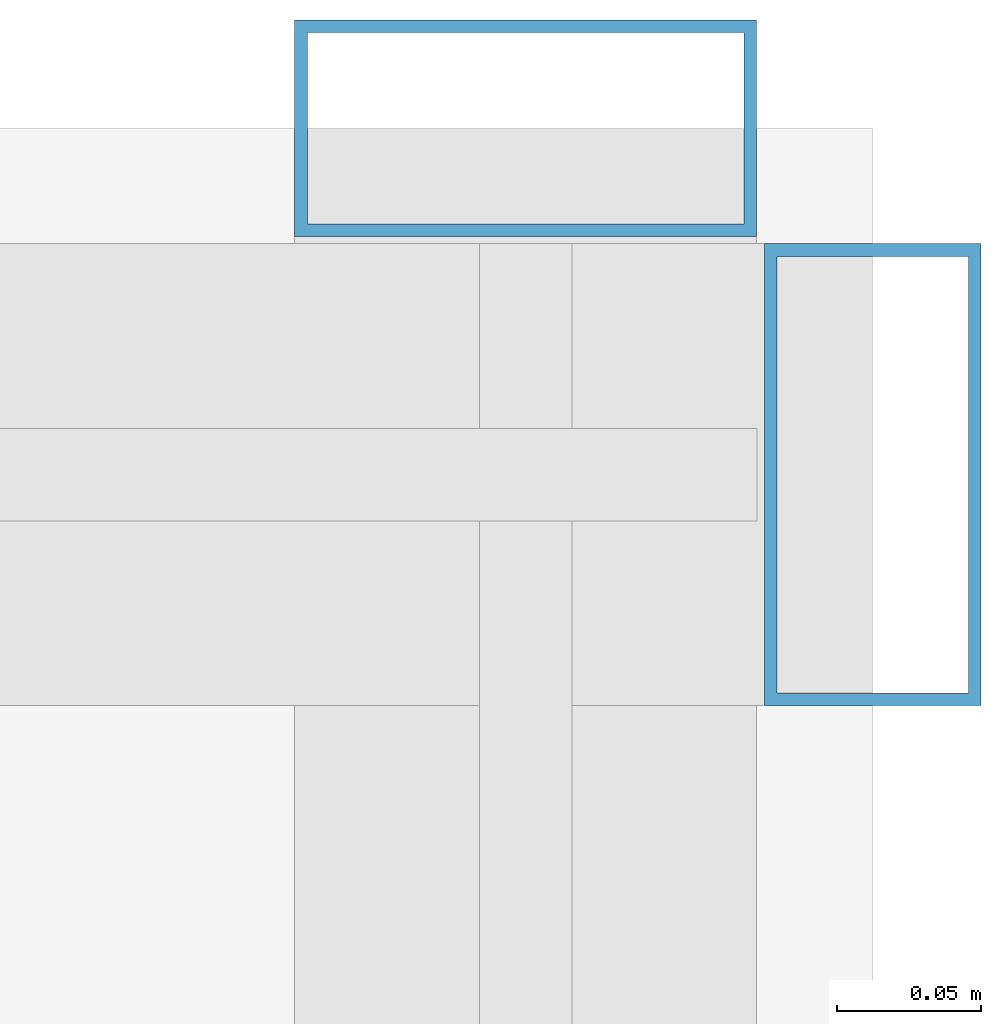
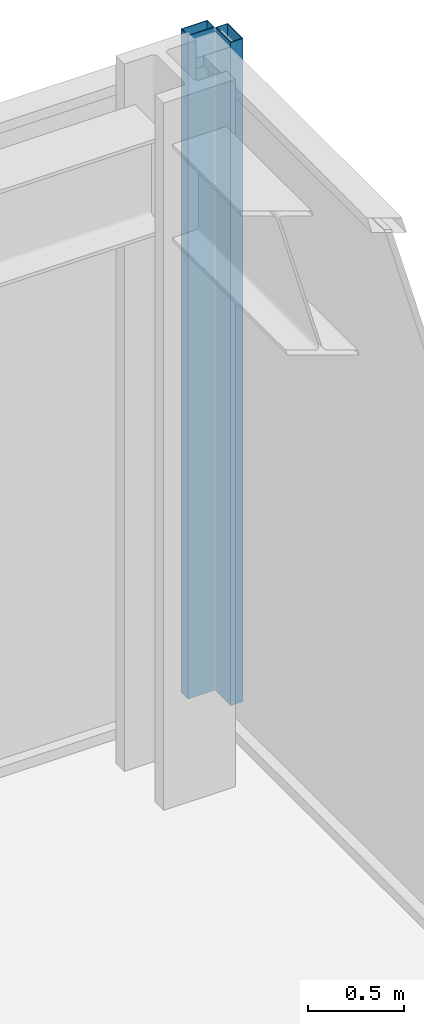
# One storey, part 36 of 47: 2 members, 2 elements without a shape of their own.
"""IFC4 building model written with IfcOpenShell, lengths in metres."""

from ifc_helpers import new_model, si_unit, direction, frame, origin, origin_2d, place, context, subcontext, project, spatial, hollow_rectangle, extrude, material, material_profile, profile_set, type_object, element, aggregate, save


model = new_model("IFC4")

# Units and contexts
model_context = context("Model", 3, precision=1e-05, world=origin(), true_north=direction((0.0, 1.0)))
body_context = subcontext(model_context, "Body", "Model", "MODEL_VIEW")
ifc_project = project(units=[si_unit("LENGTHUNIT", "METRE"), si_unit("AREAUNIT", "SQUARE_METRE"), si_unit("VOLUMEUNIT", "CUBIC_METRE"), si_unit("PLANEANGLEUNIT", "RADIAN"), si_unit("MASSUNIT", "GRAM", prefix="KILO")], contexts=[model_context])

# Site, building, storey
site_placement = place(None, origin())
site = spatial("IfcSite", under=ifc_project, at=site_placement, CompositionType="ELEMENT")
building_placement = place(site_placement, origin())
building = spatial("IfcBuilding", under=site, at=building_placement, Name="Kolvaren Belvedere", CompositionType="ELEMENT")
storey_placement = place(building_placement, frame((0.0, 0.0, 5.5)))
storey = spatial("IfcBuildingStorey", under=building, at=storey_placement, Name="L02", CompositionType="ELEMENT", Elevation=5.5)

# Curtain wall, member
ifc_material_1 = material(Name="Anodised pale-metal aluminium AA 6063-T6", Category="aluminium")
curtain_wall_type = type_object("IfcCurtainWallType", Name="CW-POD-A", PredefinedType="NOTDEFINED", material=ifc_material_1)
curtain_wall_1_placement = place(storey_placement, origin())
curtain_wall_1 = element("IfcCurtainWall", 1, at=curtain_wall_1_placement, inside=storey, type_object=curtain_wall_type, Name="L02 Unitised Curtain Wall FCW-L02-SEG6", PredefinedType="NOTDEFINED")
ifc_material_2 = material(Name="Anodised pale-metal aluminium AA 6063-T6", Category="aluminium")
ifc_material_profile = material_profile(ifc_material_2, hollow_rectangle(XDim=0.074951171875, YDim=0.159912109375, WallThickness=0.00439453125, at=origin_2d()), Name="ALU-MUL-160X75")
ifc_profile_set = profile_set([ifc_material_profile], Name="Anodised pale-metal aluminium AA 6063-T6")
member_type = type_object("IfcMemberType", Name="CW-MUL-160", PredefinedType="MULLION", material=ifc_profile_set)
member_1_placement = place(storey_placement, frame((27.8798828125, 28.39990234375, 0.0), z_axis=(0.0, 0.0, 1.0), x_axis=(0.0, 1.0, 0.0)))
member_1 = element("IfcMember", 2, at=member_1_placement, type_object=member_type, Name="FCW-L02-SEG6 Unitised Mullion 1", PredefinedType="MULLION", context=body_context, shape_type="SweptSolid", body=[
    extrude(hollow_rectangle(XDim=0.074951171875, YDim=0.159912109375, WallThickness=0.00439453125, at=origin_2d()), origin(), (0.0, 0.0, 1.0), 4.219970703125),
])
aggregate(curtain_wall_1, [member_1])

curtain_wall_2_placement = place(storey_placement, origin())
curtain_wall_2 = element("IfcCurtainWall", 3, at=curtain_wall_2_placement, inside=storey, type_object=curtain_wall_type, Name="L02 Unitised Curtain Wall FCW-L02-SEG7", PredefinedType="NOTDEFINED")
member_2_placement = place(storey_placement, frame((28.0, 28.280029296875, 0.0), z_axis=(0.0, 0.0, 1.0), x_axis=(1.0, 0.0, 0.0)))
member_2 = element("IfcMember", 4, at=member_2_placement, type_object=member_type, Name="FCW-L02-SEG7 Unitised Mullion 5", PredefinedType="MULLION", context=body_context, shape_type="SweptSolid", body=[
    extrude(hollow_rectangle(XDim=0.074951171875, YDim=0.159912109375, WallThickness=0.00439453125, at=origin_2d()), origin(), (0.0, 0.0, 1.0), 4.219970703125),
])
aggregate(curtain_wall_2, [member_2])

save(model, "model.ifc")
